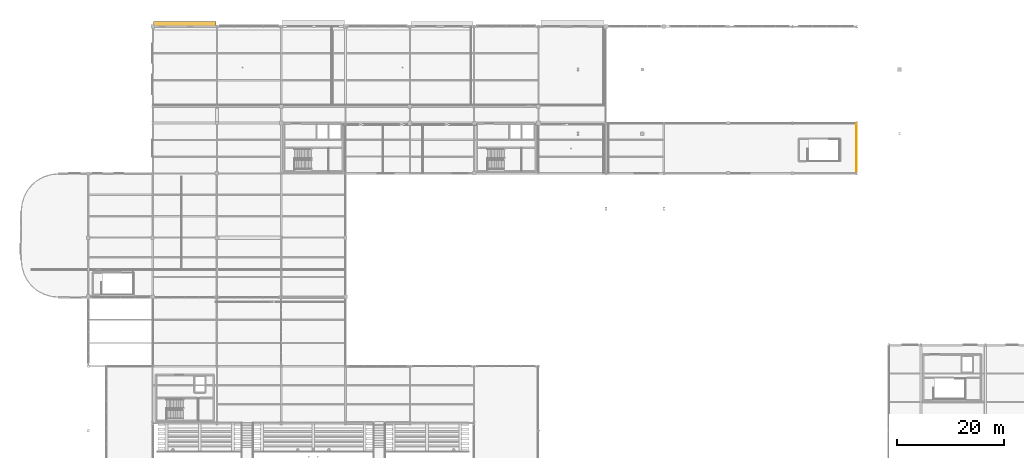
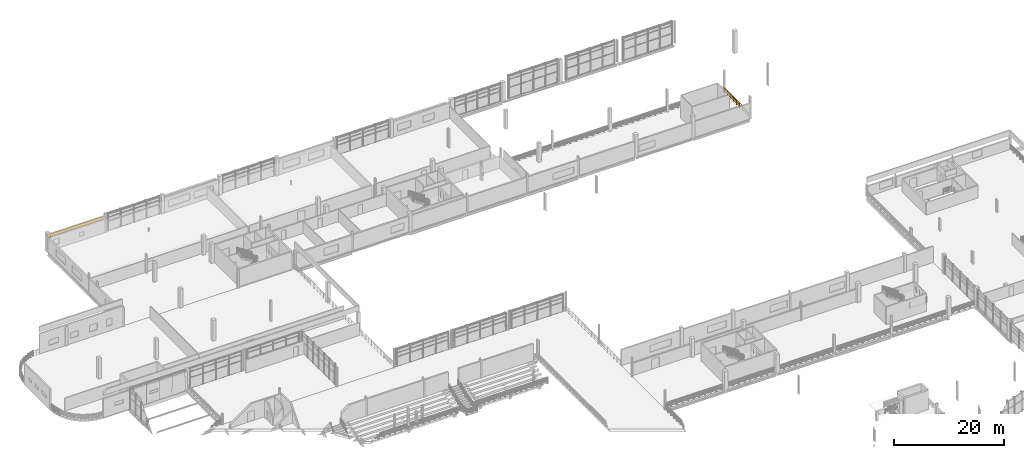
# One storey, part 88 of 89: 1 railing, 1 shading device.
"""IFC4 building model written with IfcOpenShell, lengths in metres."""

from ifc_helpers import new_model, si_unit, direction, frame, origin, origin_2d, place, context, subcontext, project, spatial, rectangle, circle, extrude, material, layer, layer_set, type_object, element, save


model = new_model("IFC4")

# Units and contexts
model_context = context("Model", 3, precision=1e-05, world=origin(), true_north=direction((0.0, 1.0)))
body_context = subcontext(model_context, "Body", "Model", "MODEL_VIEW")
ifc_project = project(units=[si_unit("LENGTHUNIT", "METRE"), si_unit("AREAUNIT", "SQUARE_METRE"), si_unit("VOLUMEUNIT", "CUBIC_METRE"), si_unit("PLANEANGLEUNIT", "RADIAN"), si_unit("MASSUNIT", "GRAM", prefix="KILO"), si_unit("THERMODYNAMICTEMPERATUREUNIT", "KELVIN"), si_unit("POWERUNIT", "WATT")], contexts=[model_context])

# Site, building, storey
site_placement = place(None, origin())
site = spatial("IfcSite", under=ifc_project, at=site_placement, CompositionType="ELEMENT")
building_placement = place(site_placement, origin())
building = spatial("IfcBuilding", under=site, at=building_placement, Name="Solmara Park Aquatics Centre", CompositionType="ELEMENT")
storey_placement = place(building_placement, frame((0.0, 0.0, 5.39990234375)))
storey = spatial("IfcBuildingStorey", under=building, at=storey_placement, Name="L01", CompositionType="ELEMENT", Elevation=5.39990234375)

# Railing
ifc_material_1 = material(Name="Toughened Glass and Stainless Steel Stand Guardrail", Category="steel")
ifc_layer = layer(ifc_material_1, 0.06005859375, Name="Toughened Glass and Stainless Steel Stand Guardrail")
ifc_layer_set = layer_set([ifc_layer], Name="Toughened Glass and Stainless Steel Stand Guardrail")
railing_type = type_object("IfcRailingType", Name="ARC-RL-STD110", PredefinedType="GUARDRAIL", material=ifc_layer_set)
railing_placement = place(storey_placement, frame((155.93994140625, 117.93994140625, 0.0)))
element("IfcRailing", 1, at=railing_placement, inside=storey, type_object=railing_type, Name="L01 Slab Edge Guardrail 077", PredefinedType="GUARDRAIL", context=body_context, shape_type="SweptSolid", body=[
    extrude(circle(Radius=0.02392578125, at=origin_2d()), frame((0.0, 0.0, 1.15576171875), z_axis=(0.0, -1.0, 0.0), x_axis=(1.0, 0.0, 0.0)), (0.0, 0.0, 1.0), 8.989990234375),
    extrude(circle(Radius=0.01416015625, at=origin_2d()), frame((0.0, 0.0, 0.4130859375), z_axis=(0.0, -1.0, 0.0), x_axis=(1.0, 0.0, 0.0)), (0.0, 0.0, 1.0), 8.989990234375),
    extrude(circle(Radius=0.01416015625, at=origin_2d()), frame((0.0, 0.0, 0.80224609375), z_axis=(0.0, -1.0, 0.0), x_axis=(1.0, 0.0, 0.0)), (0.0, 0.0, 1.0), 8.989990234375),
    extrude(circle(Radius=0.02099609375, at=origin_2d()), origin(), (0.0, 0.0, 1.0), 1.1318359375),
    extrude(circle(Radius=0.02099609375, at=origin_2d()), frame((0.0, -1.123779296875, 0.0)), (0.0, 0.0, 1.0), 1.1318359375),
    extrude(circle(Radius=0.02099609375, at=origin_2d()), frame((0.0, -2.24755859375, 0.0)), (0.0, 0.0, 1.0), 1.1318359375),
    extrude(circle(Radius=0.02099609375, at=origin_2d()), frame((0.0, -3.371337890625, 0.0)), (0.0, 0.0, 1.0), 1.1318359375),
    extrude(circle(Radius=0.02099609375, at=origin_2d()), frame((0.0, -4.4951171875, 0.0)), (0.0, 0.0, 1.0), 1.1318359375),
    extrude(circle(Radius=0.02099609375, at=origin_2d()), frame((0.0, -5.61865234375, 0.0)), (0.0, 0.0, 1.0), 1.1318359375),
    extrude(circle(Radius=0.02099609375, at=origin_2d()), frame((0.0, -6.742431640625, 0.0)), (0.0, 0.0, 1.0), 1.1318359375),
    extrude(circle(Radius=0.02099609375, at=origin_2d()), frame((0.0, -7.8662109375, 0.0)), (0.0, 0.0, 1.0), 1.1318359375),
    extrude(circle(Radius=0.02099609375, at=origin_2d()), frame((0.0, -8.989990234375, 0.0)), (0.0, 0.0, 1.0), 1.1318359375),
])

# Shading device
ifc_material_2 = material(Name="Anodised Bronze Aluminium", Category="aluminium")
shading_device_type = type_object("IfcShadingDeviceType", Name="ARC-SHD-EYE900", PredefinedType="USERDEFINED", material=ifc_material_2)
shading_device_placement = place(storey_placement, frame((30.60009765625, 136.469970703125, 2.7900390625), z_axis=(0.0, 0.0, 1.0), x_axis=(1.0, 0.0, 0.0)))
element("IfcShadingDevice", 2, at=shading_device_placement, inside=storey, type_object=shading_device_type, Name="Streamline Sun-Shading Eyebrow 005", ObjectType="SUNSHADE", PredefinedType="USERDEFINED", context=body_context, shape_type="SweptSolid", body=[
    extrude(rectangle(XDim=11.60009765625, YDim=0.89990234375, at=origin_2d()), origin(), (0.0, 0.0, 1.0), 0.1201171875),
])

save(model, "model.ifc")
